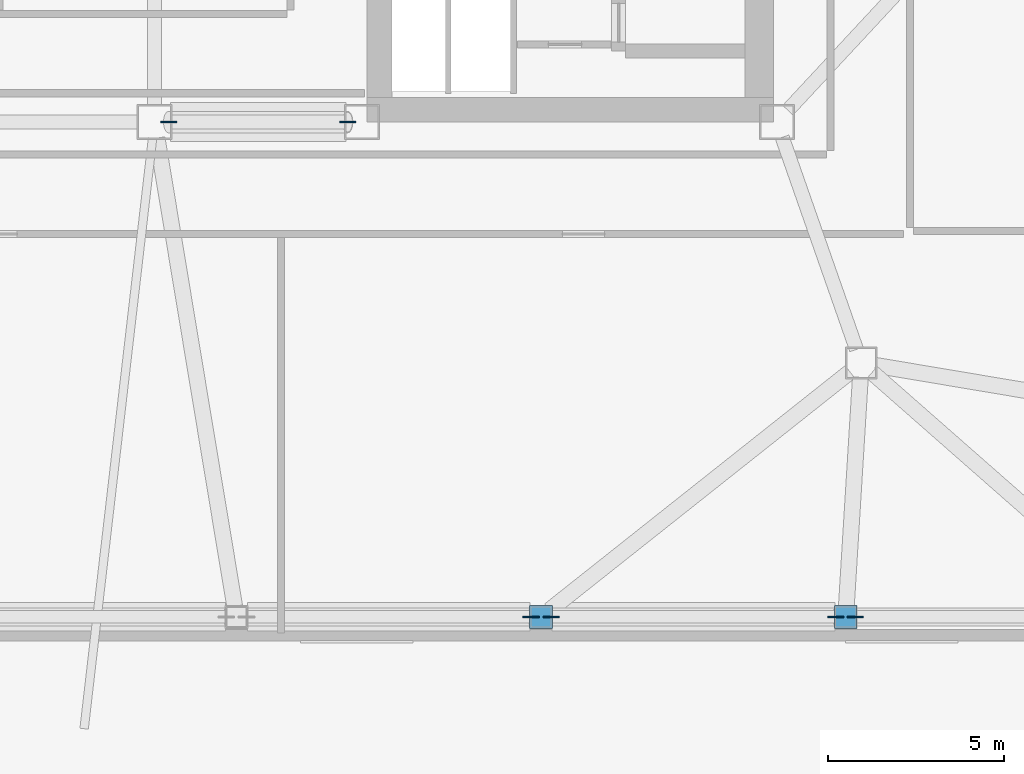
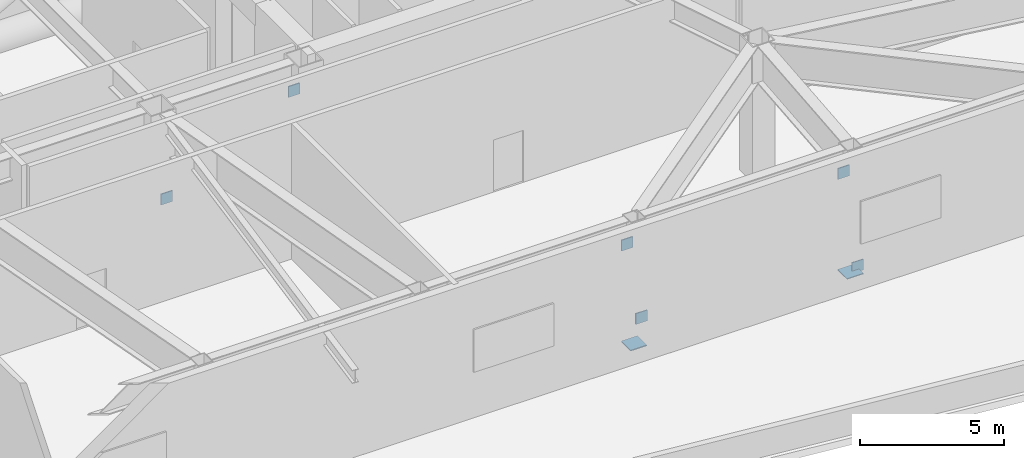
# One storey, part 8 of 12: 8 discrete accessories.
"""IFC4 building model written with IfcOpenShell, lengths in metres."""

import ifcopenshell
import ifcopenshell.guid

model = None  # the IFC model being written
_history = None  # IfcOwnerHistory: only IFC2X3 demands one
_inside = {}  # id of a spatial element -> (the spatial element, [elements in it])
_under = {}  # id of a project, library or spatial element -> (it, [spatial elements below it])
_declared = {}  # id of a project -> (the project, [libraries it declares])
_typed = {}  # id of a type object -> (the type object, [elements of that type])
_made_of = {}  # id of a material, layer set ... -> (it, [elements and type objects made of it])


def new_model(schema):
    """Start an empty IFC model of exactly this schema.

    Asked for "IFC4X3", IfcOpenShell would pick the latest addendum, in which some entities
    have other attributes; the version numbers below select the first issue.
    IFC2X3 requires an IfcOwnerHistory on every rooted entity: one is made here for all.
    """
    global model, _history
    if schema == "IFC4X3":
        model = ifcopenshell.file(schema_version=(4, 3, 0, 0))
    else:
        model = ifcopenshell.file(schema=schema)
    _inside.clear()
    _under.clear()
    _declared.clear()
    _typed.clear()
    _made_of.clear()
    _history = None
    if model.schema == "IFC2X3":
        org = make("IfcOrganization", Name="unknown")
        user = make(
            "IfcPersonAndOrganization",
            ThePerson=make("IfcPerson", FamilyName="unknown"),
            TheOrganization=org,
        )
        app = make(
            "IfcApplication",
            ApplicationDeveloper=org,
            Version="unknown",
            ApplicationFullName="unknown",
            ApplicationIdentifier="unknown",
        )
        _history = make(
            "IfcOwnerHistory",
            OwningUser=user,
            OwningApplication=app,
            ChangeAction="ADDED",
            CreationDate=0,
        )
    return model


def make(cls, **values):
    """One entity of the class cls with the attributes given. An attribute that is None is left unset."""
    return model.create_entity(
        cls, **{name: value for name, value in values.items() if value is not None}
    )


def rooted(cls, **values):
    """An entity with a GlobalId (a new one), such as an element, a storey or a relation."""
    return make(cls, GlobalId=ifcopenshell.guid.new(), OwnerHistory=_history, **values)


def si_unit(unit_type, name, prefix=None):
    """IfcSIUnit, for example si_unit("LENGTHUNIT", "METRE", prefix="MILLI")."""
    return make("IfcSIUnit", UnitType=unit_type, Prefix=prefix, Name=name)


def assignment(units):
    """IfcUnitAssignment: the units of a project."""
    return None if units is None else make("IfcUnitAssignment", Units=units)


def point(xyz):
    """IfcCartesianPoint."""
    return None if xyz is None else make("IfcCartesianPoint", Coordinates=xyz)


def direction(xyz):
    """IfcDirection."""
    return None if xyz is None else make("IfcDirection", DirectionRatios=xyz)


def frame(location, z_axis=None, x_axis=None):
    """IfcAxis2Placement3D, a coordinate frame: its origin and axes. An axis left out is left unset."""
    return make(
        "IfcAxis2Placement3D",
        Location=point(location),
        Axis=direction(z_axis),
        RefDirection=direction(x_axis),
    )


def frame_2d(location, x_axis=None):
    """IfcAxis2Placement2D, a coordinate frame in the plane: its origin and x axis."""
    return make(
        "IfcAxis2Placement2D", Location=point(location), RefDirection=direction(x_axis)
    )


def origin():
    """The frame at (0, 0, 0) with its axes left unset."""
    return frame((0.0, 0.0, 0.0))


def origin_2d():
    """The frame at (0, 0) in the plane with its x axis left unset."""
    return frame_2d((0.0, 0.0))


def place(relative_to, where):
    """IfcLocalPlacement: puts the frame where relative to a parent placement (None: the world)."""
    return make(
        "IfcLocalPlacement", PlacementRelTo=relative_to, RelativePlacement=where
    )


def context(
    kind, dimensions, precision=None, world=None, true_north=None, identifier=None
):
    """IfcGeometricRepresentationContext, for example the 3D "Model" context."""
    return make(
        "IfcGeometricRepresentationContext",
        ContextIdentifier=identifier,
        ContextType=kind,
        CoordinateSpaceDimension=dimensions,
        Precision=precision,
        WorldCoordinateSystem=world,
        TrueNorth=true_north,
    )


def subcontext(parent, identifier, kind, view, scale=None):
    """IfcGeometricRepresentationSubContext, for example "Body" below "Model"."""
    return make(
        "IfcGeometricRepresentationSubContext",
        ContextIdentifier=identifier,
        ContextType=kind,
        ParentContext=parent,
        TargetScale=scale,
        TargetView=view,
    )


def project(units=None, contexts=None):
    """IfcProject with its units and contexts."""
    return rooted(
        "IfcProject",
        Name="project",
        RepresentationContexts=contexts,
        UnitsInContext=assignment(units),
    )


def spatial(cls, under=None, at=None, **own):
    """A site, building, storey or space (cls), placed at a placement, below another one or the project."""
    s = rooted(cls, ObjectPlacement=at, **own)
    if under is not None:
        _under.setdefault(under.id(), (under, []))[1].append(s)
    return s


def profile(cls, at=None, kind="AREA", **sizes):
    """A parametric profile (cls). Its sizes go by their IFC names, for example OverallWidth=200.0."""
    return make(cls, ProfileType=kind, Position=at, **sizes)


def rectangle(**sizes):
    """IfcRectangleProfileDef."""
    return profile("IfcRectangleProfileDef", **sizes)


def extrude(swept, where, along, depth):
    """IfcExtrudedAreaSolid: the profile swept, set in the frame where, extruded along a direction by depth."""
    return make(
        "IfcExtrudedAreaSolid",
        SweptArea=swept,
        Position=where,
        ExtrudedDirection=direction(along),
        Depth=depth,
    )


def shape(context_of_items, identifier, shape_type, items):
    """IfcShapeRepresentation: the items that make up one representation, for example the "Body"."""
    return make(
        "IfcShapeRepresentation",
        ContextOfItems=context_of_items,
        RepresentationIdentifier=identifier,
        RepresentationType=shape_type,
        Items=items,
    )


def material(Name=None, Category=None):
    """IfcMaterial."""
    return make("IfcMaterial", Name=Name, Category=Category)


def made_of(thing, what):
    """Note that an element or type object is made of a material, layer set ...; save() writes the relation."""
    if what is not None:
        _made_of.setdefault(what.id(), (what, []))[1].append(thing)
    return thing


def type_object(cls, material=None, **own):
    """A type object (cls), such as IfcWallType, which elements share."""
    return made_of(rooted(cls, **own), material)


def element(
    cls,
    number,
    at=None,
    inside=None,
    cuts=None,
    type_object=None,
    material=None,
    context=None,
    identifier="Body",
    shape_type=None,
    held_by="IfcProductDefinitionShape",
    body=None,
    shapes=None,
    **own,
):
    """One element of the class cls, such as IfcWall. Its Tag is "e" and its number.

    at: its placement. inside: the storey or other place that contains it. cuts: it is an
    opening in that element (IfcRelVoidsElement). A single representation is given by context,
    identifier, shape_type and body (its items); several are given by shapes. held_by: the class
    of the entity that holds the representations. save() writes the other relations.
    """
    e = rooted(cls, Tag="e%d" % number, ObjectPlacement=at, **own)
    if body is not None:
        shapes = [shape(context, identifier, shape_type, body)]
    if shapes is not None:
        e.Representation = make(held_by, Representations=shapes)
    if inside is not None:
        _inside.setdefault(inside.id(), (inside, []))[1].append(e)
    if cuts is not None:
        rooted(
            "IfcRelVoidsElement", RelatingBuildingElement=cuts, RelatedOpeningElement=e
        )
    if type_object is not None:
        _typed.setdefault(type_object.id(), (type_object, []))[1].append(e)
    return made_of(e, material)


def aggregate(whole, parts):
    """IfcRelAggregates: a whole, such as a stair, and the parts it consists of."""
    return rooted("IfcRelAggregates", RelatingObject=whole, RelatedObjects=parts)


def save(model, path):
    """Write the relations noted so far, then the file.

    IfcRelAggregates (storeys below a building ...), IfcRelContainedInSpatialStructure (elements
    in a storey), IfcRelDefinesByType, IfcRelAssociatesMaterial and IfcRelDeclares: one each for
    every whole, place, type object, material and project.
    """
    for whole, parts in _under.values():
        aggregate(whole, parts)
    for where, things in _inside.values():
        rooted(
            "IfcRelContainedInSpatialStructure",
            RelatedElements=things,
            RelatingStructure=where,
        )
    for kind, things in _typed.values():
        rooted("IfcRelDefinesByType", RelatedObjects=things, RelatingType=kind)
    for what, things in _made_of.values():
        rooted("IfcRelAssociatesMaterial", RelatedObjects=things, RelatingMaterial=what)
    for by, libraries in _declared.values():
        rooted("IfcRelDeclares", RelatingContext=by, RelatedDefinitions=libraries)
    model.write(path)


model = new_model("IFC4")

# Units and contexts
model_context = context("Model", 3, precision=1e-05, world=origin(), true_north=direction((0.0, 1.0)))
body_context = subcontext(model_context, "Body", "Model", "MODEL_VIEW")
ifc_project = project(units=[si_unit("LENGTHUNIT", "METRE"), si_unit("AREAUNIT", "SQUARE_METRE"), si_unit("VOLUMEUNIT", "CUBIC_METRE"), si_unit("PLANEANGLEUNIT", "RADIAN"), si_unit("MASSUNIT", "GRAM", prefix="KILO")], contexts=[model_context])

# Site, building, storey
site_placement = place(None, origin())
site = spatial("IfcSite", under=ifc_project, at=site_placement, CompositionType="ELEMENT")
building_placement = place(site_placement, origin())
building = spatial("IfcBuilding", under=site, at=building_placement, Name="Tavrogorsk Clinical Tower", CompositionType="ELEMENT")
storey_placement = place(building_placement, frame((0.0, 0.0, 146.199951171875)))
storey = spatial("IfcBuildingStorey", under=building, at=storey_placement, Name="L33", CompositionType="ELEMENT", Elevation=146.199951171875)

# Discrete accessories
ifc_material_1 = material(Name="Structural steel S440", Category="steel")
discrete_accessory_type_1 = type_object("IfcDiscreteAccessoryType", Name="GussetPlateBracket_25", PredefinedType="BRACKET", material=ifc_material_1)
for number, where, z_axis, x_axis, name in (
    (1, (15.109130859375, -20.419921875, 4.443603515625), (0.0, 0.0, 1.0), (1.0, 0.0, 0.0), "L33 Brace Gusset Plate EXOBELT-L33-05-B"),
    (2, (15.679443359375, -20.419921875, 1.136474609375), (0.0, 0.0, 1.0), (1.0, 0.0, 0.0), "L33 Brace Gusset Plate EXOBELT-L33-06-A"),
    (3, (23.77197265625, -20.419921875, 4.443603515625), (0.0, 0.0, 1.0), (1.0, 0.0, 0.0), "L33 Brace Gusset Plate EXOBELT-L33-06-B"),
    (4, (24.331298828125, -20.419921875, 0.260498046875), (0.0, 0.0, 1.0), (1.0, 0.0, 0.0), "L33 Brace Gusset Plate EXOBELT-L33-07-A"),
    (5, (4.803955078125, -6.35009765625, 1.469970703125), (0.0, 0.0, 1.0), (1.0, 0.0, 0.0), "L33 Brace Gusset Plate ORDG-L33-03-A"),
    (6, (9.89599609375, -6.35009765625, 4.240234375), (0.0, 0.0, 1.0), (1.0, 0.0, 0.0), "L33 Brace Gusset Plate ORDG-L33-03-B"),
):
    element("IfcDiscreteAccessory", number, at=place(storey_placement, frame(where, z_axis=z_axis, x_axis=x_axis)), inside=storey, type_object=discrete_accessory_type_1, Name=name, PredefinedType="BRACKET", context=body_context, shape_type="SweptSolid", body=[
        extrude(rectangle(XDim=0.4599609375, YDim=0.0400390625, at=origin_2d()), origin(), (0.0, 0.0, 1.0), 0.4599609375),
    ])
ifc_material_2 = material(Name="Structural steel S440", Category="steel")
discrete_accessory_type_2 = type_object("IfcDiscreteAccessoryType", Name="TrussEndCapBracket", PredefinedType="BRACKET", material=ifc_material_2)
for number, where, z_axis, x_axis, name in (
    (7, (15.394287109375, -20.419921875, 0.330078125), (0.0, 0.0, 1.0), (1.0, 0.0, 0.0), "L33 Hollow Node End Cap S6"),
    (8, (24.05712890625, -20.419921875, 0.330078125), (0.0, 0.0, 1.0), (1.0, 0.0, 0.0), "L33 Hollow Node End Cap S7"),
):
    element("IfcDiscreteAccessory", number, at=place(storey_placement, frame(where, z_axis=z_axis, x_axis=x_axis)), inside=storey, type_object=discrete_accessory_type_2, Name=name, PredefinedType="BRACKET", context=body_context, shape_type="SweptSolid", body=[
        extrude(rectangle(XDim=0.64990234375, YDim=0.64990234375, at=origin_2d()), origin(), (0.0, 0.0, 1.0), 0.0400390625),
    ])

save(model, "model.ifc")
